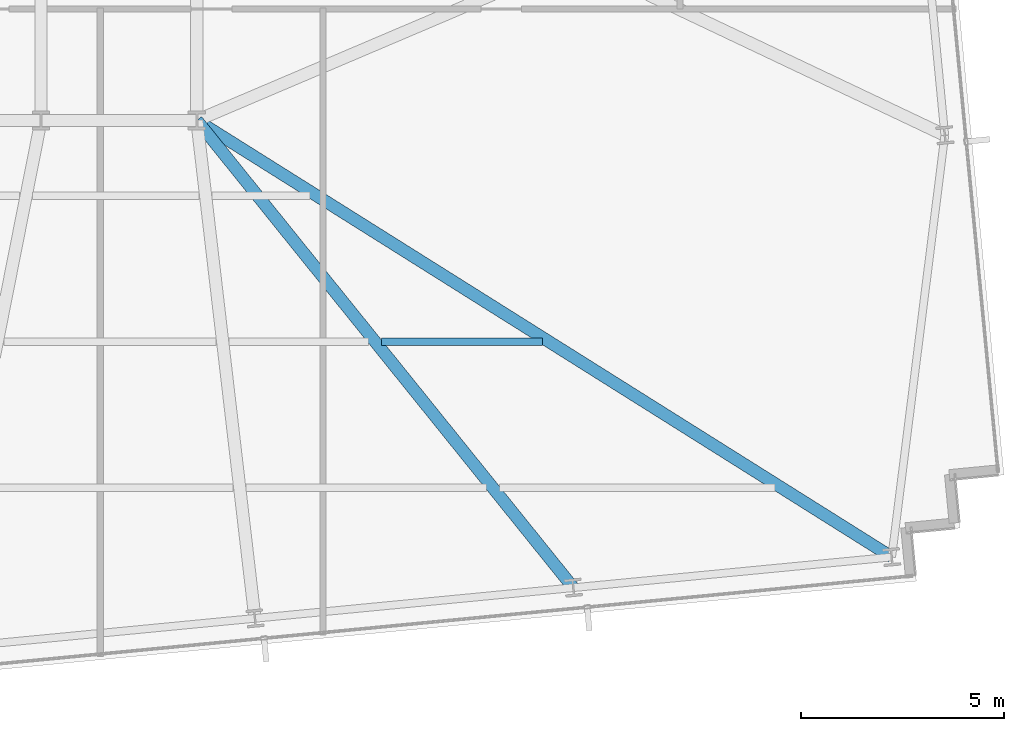
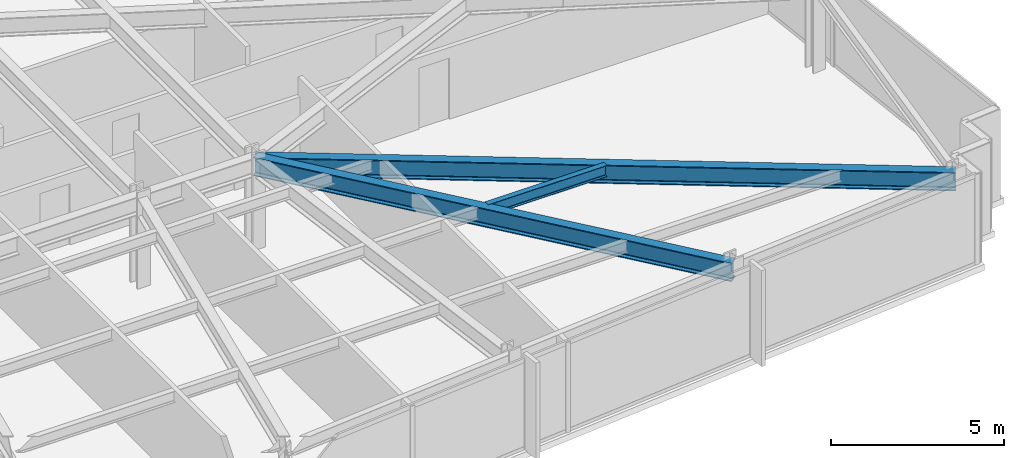
# One storey, part 13 of 32: 3 beams.
"""IFC4 building model written with IfcOpenShell, lengths in metres."""

import ifcopenshell
import ifcopenshell.guid

model = None  # the IFC model being written
_history = None  # IfcOwnerHistory: only IFC2X3 demands one
_inside = {}  # id of a spatial element -> (the spatial element, [elements in it])
_under = {}  # id of a project, library or spatial element -> (it, [spatial elements below it])
_declared = {}  # id of a project -> (the project, [libraries it declares])
_typed = {}  # id of a type object -> (the type object, [elements of that type])
_made_of = {}  # id of a material, layer set ... -> (it, [elements and type objects made of it])


def new_model(schema):
    """Start an empty IFC model of exactly this schema.

    Asked for "IFC4X3", IfcOpenShell would pick the latest addendum, in which some entities
    have other attributes; the version numbers below select the first issue.
    IFC2X3 requires an IfcOwnerHistory on every rooted entity: one is made here for all.
    """
    global model, _history
    if schema == "IFC4X3":
        model = ifcopenshell.file(schema_version=(4, 3, 0, 0))
    else:
        model = ifcopenshell.file(schema=schema)
    _inside.clear()
    _under.clear()
    _declared.clear()
    _typed.clear()
    _made_of.clear()
    _history = None
    if model.schema == "IFC2X3":
        org = make("IfcOrganization", Name="unknown")
        user = make(
            "IfcPersonAndOrganization",
            ThePerson=make("IfcPerson", FamilyName="unknown"),
            TheOrganization=org,
        )
        app = make(
            "IfcApplication",
            ApplicationDeveloper=org,
            Version="unknown",
            ApplicationFullName="unknown",
            ApplicationIdentifier="unknown",
        )
        _history = make(
            "IfcOwnerHistory",
            OwningUser=user,
            OwningApplication=app,
            ChangeAction="ADDED",
            CreationDate=0,
        )
    return model


def make(cls, **values):
    """One entity of the class cls with the attributes given. An attribute that is None is left unset."""
    return model.create_entity(
        cls, **{name: value for name, value in values.items() if value is not None}
    )


def rooted(cls, **values):
    """An entity with a GlobalId (a new one), such as an element, a storey or a relation."""
    return make(cls, GlobalId=ifcopenshell.guid.new(), OwnerHistory=_history, **values)


def si_unit(unit_type, name, prefix=None):
    """IfcSIUnit, for example si_unit("LENGTHUNIT", "METRE", prefix="MILLI")."""
    return make("IfcSIUnit", UnitType=unit_type, Prefix=prefix, Name=name)


def assignment(units):
    """IfcUnitAssignment: the units of a project."""
    return None if units is None else make("IfcUnitAssignment", Units=units)


def point(xyz):
    """IfcCartesianPoint."""
    return None if xyz is None else make("IfcCartesianPoint", Coordinates=xyz)


def direction(xyz):
    """IfcDirection."""
    return None if xyz is None else make("IfcDirection", DirectionRatios=xyz)


def frame(location, z_axis=None, x_axis=None):
    """IfcAxis2Placement3D, a coordinate frame: its origin and axes. An axis left out is left unset."""
    return make(
        "IfcAxis2Placement3D",
        Location=point(location),
        Axis=direction(z_axis),
        RefDirection=direction(x_axis),
    )


def frame_2d(location, x_axis=None):
    """IfcAxis2Placement2D, a coordinate frame in the plane: its origin and x axis."""
    return make(
        "IfcAxis2Placement2D", Location=point(location), RefDirection=direction(x_axis)
    )


def origin():
    """The frame at (0, 0, 0) with its axes left unset."""
    return frame((0.0, 0.0, 0.0))


def origin_2d():
    """The frame at (0, 0) in the plane with its x axis left unset."""
    return frame_2d((0.0, 0.0))


def place(relative_to, where):
    """IfcLocalPlacement: puts the frame where relative to a parent placement (None: the world)."""
    return make(
        "IfcLocalPlacement", PlacementRelTo=relative_to, RelativePlacement=where
    )


def context(
    kind, dimensions, precision=None, world=None, true_north=None, identifier=None
):
    """IfcGeometricRepresentationContext, for example the 3D "Model" context."""
    return make(
        "IfcGeometricRepresentationContext",
        ContextIdentifier=identifier,
        ContextType=kind,
        CoordinateSpaceDimension=dimensions,
        Precision=precision,
        WorldCoordinateSystem=world,
        TrueNorth=true_north,
    )


def subcontext(parent, identifier, kind, view, scale=None):
    """IfcGeometricRepresentationSubContext, for example "Body" below "Model"."""
    return make(
        "IfcGeometricRepresentationSubContext",
        ContextIdentifier=identifier,
        ContextType=kind,
        ParentContext=parent,
        TargetScale=scale,
        TargetView=view,
    )


def project(units=None, contexts=None):
    """IfcProject with its units and contexts."""
    return rooted(
        "IfcProject",
        Name="project",
        RepresentationContexts=contexts,
        UnitsInContext=assignment(units),
    )


def spatial(cls, under=None, at=None, **own):
    """A site, building, storey or space (cls), placed at a placement, below another one or the project."""
    s = rooted(cls, ObjectPlacement=at, **own)
    if under is not None:
        _under.setdefault(under.id(), (under, []))[1].append(s)
    return s


def profile(cls, at=None, kind="AREA", **sizes):
    """A parametric profile (cls). Its sizes go by their IFC names, for example OverallWidth=200.0."""
    return make(cls, ProfileType=kind, Position=at, **sizes)


def i_section(**sizes):
    """IfcIShapeProfileDef."""
    return profile("IfcIShapeProfileDef", **sizes)


def extrude(swept, where, along, depth):
    """IfcExtrudedAreaSolid: the profile swept, set in the frame where, extruded along a direction by depth."""
    return make(
        "IfcExtrudedAreaSolid",
        SweptArea=swept,
        Position=where,
        ExtrudedDirection=direction(along),
        Depth=depth,
    )


def shape(context_of_items, identifier, shape_type, items):
    """IfcShapeRepresentation: the items that make up one representation, for example the "Body"."""
    return make(
        "IfcShapeRepresentation",
        ContextOfItems=context_of_items,
        RepresentationIdentifier=identifier,
        RepresentationType=shape_type,
        Items=items,
    )


def material(Name=None, Category=None):
    """IfcMaterial."""
    return make("IfcMaterial", Name=Name, Category=Category)


def material_profile(
    of_material, cross_section, Name=None, Category=None, Priority=None
):
    """IfcMaterialProfile: a cross section and its material."""
    return make(
        "IfcMaterialProfile",
        Name=Name,
        Material=of_material,
        Profile=cross_section,
        Priority=Priority,
        Category=Category,
    )


def profile_set(profiles, Name=None, composite=None):
    """IfcMaterialProfileSet."""
    return make(
        "IfcMaterialProfileSet",
        Name=Name,
        MaterialProfiles=profiles,
        CompositeProfile=composite,
    )


def made_of(thing, what):
    """Note that an element or type object is made of a material, layer set ...; save() writes the relation."""
    if what is not None:
        _made_of.setdefault(what.id(), (what, []))[1].append(thing)
    return thing


def type_object(cls, material=None, **own):
    """A type object (cls), such as IfcWallType, which elements share."""
    return made_of(rooted(cls, **own), material)


def element(
    cls,
    number,
    at=None,
    inside=None,
    cuts=None,
    type_object=None,
    material=None,
    context=None,
    identifier="Body",
    shape_type=None,
    held_by="IfcProductDefinitionShape",
    body=None,
    shapes=None,
    **own,
):
    """One element of the class cls, such as IfcWall. Its Tag is "e" and its number.

    at: its placement. inside: the storey or other place that contains it. cuts: it is an
    opening in that element (IfcRelVoidsElement). A single representation is given by context,
    identifier, shape_type and body (its items); several are given by shapes. held_by: the class
    of the entity that holds the representations. save() writes the other relations.
    """
    e = rooted(cls, Tag="e%d" % number, ObjectPlacement=at, **own)
    if body is not None:
        shapes = [shape(context, identifier, shape_type, body)]
    if shapes is not None:
        e.Representation = make(held_by, Representations=shapes)
    if inside is not None:
        _inside.setdefault(inside.id(), (inside, []))[1].append(e)
    if cuts is not None:
        rooted(
            "IfcRelVoidsElement", RelatingBuildingElement=cuts, RelatedOpeningElement=e
        )
    if type_object is not None:
        _typed.setdefault(type_object.id(), (type_object, []))[1].append(e)
    return made_of(e, material)


def aggregate(whole, parts):
    """IfcRelAggregates: a whole, such as a stair, and the parts it consists of."""
    return rooted("IfcRelAggregates", RelatingObject=whole, RelatedObjects=parts)


def save(model, path):
    """Write the relations noted so far, then the file.

    IfcRelAggregates (storeys below a building ...), IfcRelContainedInSpatialStructure (elements
    in a storey), IfcRelDefinesByType, IfcRelAssociatesMaterial and IfcRelDeclares: one each for
    every whole, place, type object, material and project.
    """
    for whole, parts in _under.values():
        aggregate(whole, parts)
    for where, things in _inside.values():
        rooted(
            "IfcRelContainedInSpatialStructure",
            RelatedElements=things,
            RelatingStructure=where,
        )
    for kind, things in _typed.values():
        rooted("IfcRelDefinesByType", RelatedObjects=things, RelatingType=kind)
    for what, things in _made_of.values():
        rooted("IfcRelAssociatesMaterial", RelatedObjects=things, RelatingMaterial=what)
    for by, libraries in _declared.values():
        rooted("IfcRelDeclares", RelatingContext=by, RelatedDefinitions=libraries)
    model.write(path)


model = new_model("IFC4")

# Units and contexts
model_context = context("Model", 3, precision=1e-05, world=origin(), true_north=direction((0.0, 1.0)))
body_context = subcontext(model_context, "Body", "Model", "MODEL_VIEW")
ifc_project = project(units=[si_unit("LENGTHUNIT", "METRE"), si_unit("AREAUNIT", "SQUARE_METRE"), si_unit("VOLUMEUNIT", "CUBIC_METRE"), si_unit("PLANEANGLEUNIT", "RADIAN"), si_unit("MASSUNIT", "GRAM", prefix="KILO")], contexts=[model_context])

# Site, building, storey
site_placement = place(None, origin())
site = spatial("IfcSite", under=ifc_project, at=site_placement, CompositionType="ELEMENT")
building_placement = place(site_placement, origin())
building = spatial("IfcBuilding", under=site, at=building_placement, Name="Yelkora Congress Tower", CompositionType="ELEMENT")
storey_placement = place(building_placement, frame((0.0, 0.0, 130.5)))
storey = spatial("IfcBuildingStorey", under=building, at=storey_placement, Name="L35", CompositionType="ELEMENT", Elevation=130.5)

# Beams
ifc_material = material(Name="Steel S355J2", Category="steel")
ifc_material_profile_1 = material_profile(ifc_material, i_section(OverallWidth=0.300048828125, OverallDepth=0.64990234375, WebThickness=0.01611328125, FlangeThickness=0.031005859375, FilletRadius=0.027099609375, at=origin_2d()), Name="HEB 650")
ifc_profile_set_1 = profile_set([ifc_material_profile_1], Name="Steel S355J2")
beam_type_1 = type_object("IfcBeamType", Name="BM-GIRD-HEB650", PredefinedType="BEAM", material=ifc_profile_set_1)
beam_1_placement = place(storey_placement, frame((66.882568359375, 13.67919921875, 2.85498046875), z_axis=(-0.627405981031, 0.778692323686, 0.0), x_axis=(-0.778692323686, -0.627405981031, 0.0)))
element("IfcBeam", 1, at=beam_1_placement, inside=storey, type_object=beam_type_1, Name="L35 Primary Frame Girder S07", PredefinedType="BEAM", context=body_context, shape_type="SweptSolid", body=[
    extrude(i_section(OverallWidth=0.300048828125, OverallDepth=0.64990234375, WebThickness=0.01611328125, FlangeThickness=0.031005859375, FilletRadius=0.027099609375, at=origin_2d()), origin(), (0.0, 0.0, 1.0), 14.794921875),
])
beam_2_placement = place(storey_placement, frame((74.73193359375, 14.43505859375, 2.85498046875), z_axis=(-0.846718708798, 0.532040814385, 0.0), x_axis=(-0.532040814385, -0.846718708798, 0.0)))
element("IfcBeam", 2, at=beam_2_placement, inside=storey, type_object=beam_type_1, Name="L35 Primary Frame Girder S08", PredefinedType="BEAM", context=body_context, shape_type="SweptSolid", body=[
    extrude(i_section(OverallWidth=0.300048828125, OverallDepth=0.64990234375, WebThickness=0.01611328125, FlangeThickness=0.031005859375, FilletRadius=0.027099609375, at=origin_2d()), origin(), (0.0, 0.0, 1.0), 20.233154296875),
])
ifc_material_profile_2 = material_profile(ifc_material, i_section(OverallWidth=0.179931640625, OverallDepth=0.39990234375, WebThickness=0.008544921875, FlangeThickness=0.013427734375, FilletRadius=0.02099609375, at=origin_2d()), Name="IPE 400")
ifc_profile_set_2 = profile_set([ifc_material_profile_2], Name="Steel S355J2")
beam_type_2 = type_object("IfcBeamType", Name="BM-JOIST-IPE400", PredefinedType="JOIST", material=ifc_profile_set_2)
beam_3_placement = place(storey_placement, frame((62.15576171875, 19.744384765625, 2.97998046875), z_axis=(1.0, 0.0, 0.0), x_axis=(0.0, 1.0, 0.0)))
element("IfcBeam", 3, at=beam_3_placement, inside=storey, type_object=beam_type_2, Name="L35 Composite Floor Joist 17", PredefinedType="JOIST", context=body_context, shape_type="SweptSolid", body=[
    extrude(i_section(OverallWidth=0.179931640625, OverallDepth=0.39990234375, WebThickness=0.008544921875, FlangeThickness=0.013427734375, FilletRadius=0.02099609375, at=origin_2d()), origin(), (0.0, 0.0, 1.0), 3.966552734375),
])

save(model, "model.ifc")
